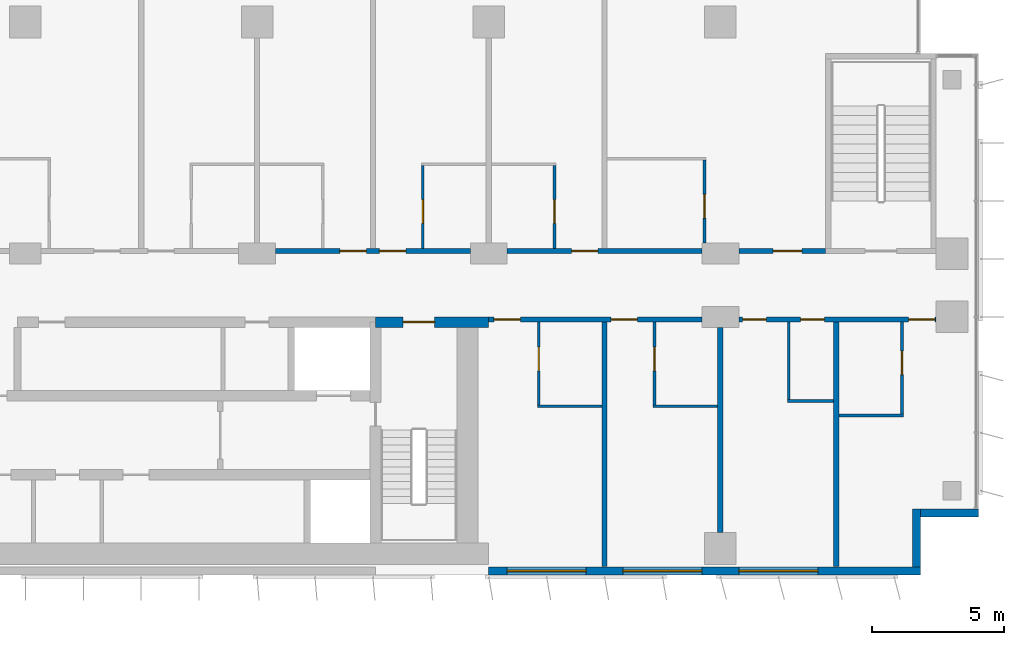
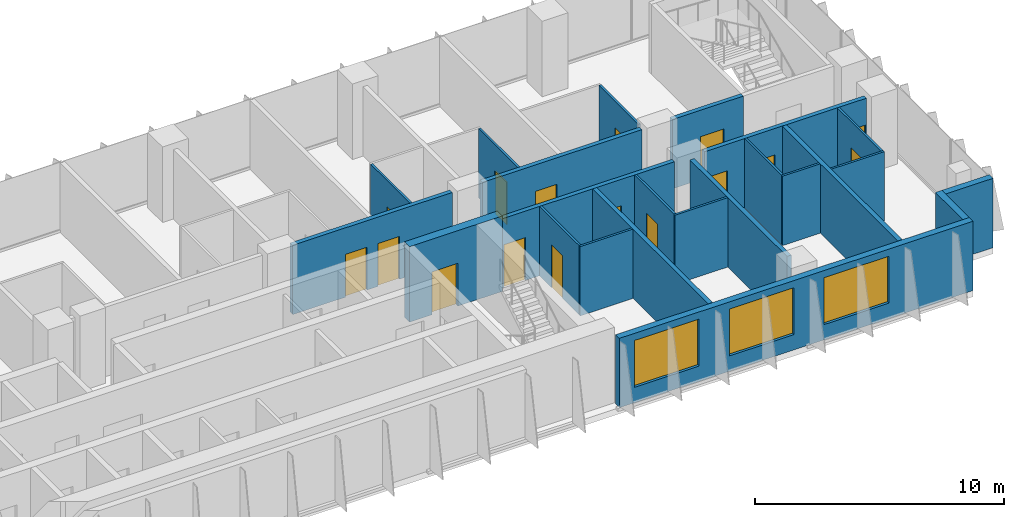
# One storey, part 14 of 23: 23 walls, 16 doors, 3 windows, 19 openings.
"""IFC4 building model written with IfcOpenShell, lengths in metres."""

from ifc_helpers import new_model, si_unit, direction, frame, frame_2d, origin, place, context, subcontext, project, spatial, rectangle, extrude, material, layer, layer_set, type_object, element, fill, save


model = new_model("IFC4")

# Units and contexts
model_context = context("Model", 3, precision=1e-05, world=origin(), true_north=direction((0.0, 1.0)))
body_context = subcontext(model_context, "Body", "Model", "MODEL_VIEW")
ifc_project = project(units=[si_unit("LENGTHUNIT", "METRE"), si_unit("AREAUNIT", "SQUARE_METRE"), si_unit("VOLUMEUNIT", "CUBIC_METRE"), si_unit("PLANEANGLEUNIT", "RADIAN"), si_unit("MASSUNIT", "GRAM", prefix="KILO")], contexts=[model_context])

# Site, building, storey
site_placement = place(None, origin())
site = spatial("IfcSite", under=ifc_project, at=site_placement, CompositionType="ELEMENT")
building_placement = place(site_placement, origin())
building = spatial("IfcBuilding", under=site, at=building_placement, Name="Kemantara Hotel Tower", CompositionType="ELEMENT")
storey_placement = place(building_placement, frame((0.0, 0.0, 118.5)))
storey = spatial("IfcBuildingStorey", under=building, at=storey_placement, Name="L28", CompositionType="ELEMENT", Elevation=118.5)

# Wall, openings, windows
ifc_material_1 = material(Name="Bronze anodised aluminium cladding on insulated steel stud wall", Category="steel")
ifc_layer_1 = layer(ifc_material_1, 0.300048828125)
ifc_layer_set_1 = layer_set([ifc_layer_1], Name="Bronze anodised aluminium cladding on insulated steel stud wall")
wall_type_1 = type_object("IfcWallType", Name="BRONZE METAL-CLAD EXTERNAL WALL 300", PredefinedType="STANDARD", material=ifc_layer_set_1)
wall_1_placement = place(storey_placement, frame((45.0, 0.14990234375, 0.0), z_axis=(0.0, 0.0, 1.0), x_axis=(1.0, 0.0, 0.0)))
wall_1 = element("IfcWall", 1, at=wall_1_placement, inside=storey, type_object=wall_type_1, Name="EXTERNAL WALL L28 T2-R07-3", PredefinedType="STANDARD", context=body_context, shape_type="SweptSolid", body=[
    extrude(rectangle(XDim=16.39990234375, YDim=0.300048828125, at=frame_2d((8.199951171875, 0.0))), origin(), (0.0, 0.0, 1.0), 3.39990234375),
])
opening_1_placement = place(wall_1_placement, frame((0.699951171875, 0.0, 0.75)))
opening_1 = element("IfcOpeningElement", 2, at=opening_1_placement, cuts=wall_1, Name="Opening W1", PredefinedType="OPENING", context=body_context, shape_type="SweptSolid", body=[
    extrude(rectangle(XDim=3.0, YDim=2.300048828125, at=frame_2d((1.5, 1.14990234375))), frame((0.0, 0.159912109375, 0.0), z_axis=(0.0, -1.0, 0.0), x_axis=(1.0, 0.0, 0.0)), (0.0, 0.0, 1.0), 0.320068359375),
])
opening_2_placement = place(wall_1_placement, frame((5.10009765625, 0.0, 0.75)))
opening_2 = element("IfcOpeningElement", 3, at=opening_2_placement, cuts=wall_1, Name="Opening W1", PredefinedType="OPENING", context=body_context, shape_type="SweptSolid", body=[
    extrude(rectangle(XDim=3.0, YDim=2.300048828125, at=frame_2d((1.5, 1.14990234375))), frame((0.0, 0.159912109375, 0.0), z_axis=(0.0, -1.0, 0.0), x_axis=(1.0, 0.0, 0.0)), (0.0, 0.0, 1.0), 0.320068359375),
])
opening_3_placement = place(wall_1_placement, frame((9.5, 0.0, 0.75)))
opening_3 = element("IfcOpeningElement", 4, at=opening_3_placement, cuts=wall_1, Name="Opening W1", PredefinedType="OPENING", context=body_context, shape_type="SweptSolid", body=[
    extrude(rectangle(XDim=3.0, YDim=2.300048828125, at=frame_2d((1.5, 1.14990234375))), frame((0.0, 0.159912109375, 0.0), z_axis=(0.0, -1.0, 0.0), x_axis=(1.0, 0.0, 0.0)), (0.0, 0.0, 1.0), 0.320068359375),
])
ifc_material_2 = material(Name="Low-E tinted double insulated glass in bronze anodised aluminium frame", Category="aluminium")
window_type = type_object("IfcWindowType", Name="CHICAGO WINDOW, TRIPLE PANEL 3000x2300", PartitioningType="TRIPLE_PANEL_VERTICAL", PredefinedType="WINDOW", material=ifc_material_2)
window_1_placement = place(opening_1_placement, origin())
window_1 = element("IfcWindow", 5, at=window_1_placement, inside=storey, type_object=window_type, Name="CHICAGO WINDOW L28 T2-R07-450", OverallHeight=2.300048828125, OverallWidth=3.0, PartitioningType="SINGLE_PANEL", PredefinedType="WINDOW", context=body_context, shape_type="SweptSolid", body=[
    extrude(rectangle(XDim=3.0, YDim=2.300048828125, at=frame_2d((1.5, 1.14990234375))), frame((0.0, 0.030029296875, 0.0), z_axis=(0.0, -1.0, 0.0), x_axis=(1.0, 0.0, 0.0)), (0.0, 0.0, 1.0), 0.06005859375),
])
fill(opening_1, window_1)
window_2_placement = place(opening_2_placement, origin())
window_2 = element("IfcWindow", 6, at=window_2_placement, inside=storey, type_object=window_type, Name="CHICAGO WINDOW L28 T2-R07-494", OverallHeight=2.300048828125, OverallWidth=3.0, PartitioningType="SINGLE_PANEL", PredefinedType="WINDOW", context=body_context, shape_type="SweptSolid", body=[
    extrude(rectangle(XDim=3.0, YDim=2.300048828125, at=frame_2d((1.5, 1.14990234375))), frame((0.0, 0.030029296875, 0.0), z_axis=(0.0, -1.0, 0.0), x_axis=(1.0, 0.0, 0.0)), (0.0, 0.0, 1.0), 0.06005859375),
])
fill(opening_2, window_2)
window_3_placement = place(opening_3_placement, origin())
window_3 = element("IfcWindow", 7, at=window_3_placement, inside=storey, type_object=window_type, Name="CHICAGO WINDOW L28 T2-R07-538", OverallHeight=2.300048828125, OverallWidth=3.0, PartitioningType="SINGLE_PANEL", PredefinedType="WINDOW", context=body_context, shape_type="SweptSolid", body=[
    extrude(rectangle(XDim=3.0, YDim=2.300048828125, at=frame_2d((1.5, 1.14990234375))), frame((0.0, 0.030029296875, 0.0), z_axis=(0.0, -1.0, 0.0), x_axis=(1.0, 0.0, 0.0)), (0.0, 0.0, 1.0), 0.06005859375),
])
fill(opening_3, window_3)

# Walls
wall_2_placement = place(storey_placement, frame((61.25, 0.300048828125, 0.0), z_axis=(0.0, 0.0, 1.0), x_axis=(0.0, 1.0, 0.0)))
element("IfcWall", 8, at=wall_2_placement, inside=storey, type_object=wall_type_1, Name="EXTERNAL WALL L28 T2-R08", PredefinedType="STANDARD", context=body_context, shape_type="SweptSolid", body=[
    extrude(rectangle(XDim=2.199951171875, YDim=0.300048828125, at=frame_2d((1.10009765625, 0.0))), origin(), (0.0, 0.0, 1.0), 3.39990234375),
])
wall_3_placement = place(storey_placement, frame((61.39990234375, 2.35009765625, 0.0), z_axis=(0.0, 0.0, 1.0), x_axis=(1.0, 0.0, 0.0)))
element("IfcWall", 9, at=wall_3_placement, inside=storey, type_object=wall_type_1, Name="EXTERNAL WALL L28 T2-R09", PredefinedType="STANDARD", context=body_context, shape_type="SweptSolid", body=[
    extrude(rectangle(XDim=2.2001953125, YDim=0.300048828125, at=frame_2d((1.10009765625, 0.0))), origin(), (0.0, 0.0, 1.0), 3.39990234375),
])

# Wall, opening, door
ifc_material_3 = material(Name="Concrete fc 70 MPa", Category="concrete")
ifc_layer_2 = layer(ifc_material_3, 0.39990234375)
ifc_layer_set_2 = layer_set([ifc_layer_2], Name="Concrete fc 70 MPa")
wall_type_2 = type_object("IfcWallType", Name="CORE WALL 400 FC70", PredefinedType="SHEAR", material=ifc_layer_set_2)
wall_4_placement = place(storey_placement, frame((40.699951171875, 9.60009765625, 0.0), z_axis=(0.0, 0.0, 1.0), x_axis=(1.0, 0.0, 0.0)))
wall_4 = element("IfcWall", 10, at=wall_4_placement, inside=storey, type_object=wall_type_2, Name="CORE WALL CW-N2", PredefinedType="SHEAR", context=body_context, shape_type="SweptSolid", body=[
    extrude(rectangle(XDim=4.300048828125, YDim=0.39990234375, at=frame_2d((2.14990234375, 0.0))), origin(), (0.0, 0.0, 1.0), 3.699951171875),
])
opening_4_placement = place(wall_4_placement, frame((1.050048828125, 0.0, 0.0)))
opening_4 = element("IfcOpeningElement", 11, at=opening_4_placement, cuts=wall_4, Name="Opening C19-ST2-C", PredefinedType="OPENING", context=body_context, shape_type="SweptSolid", body=[
    extrude(rectangle(XDim=1.199951171875, YDim=2.10009765625, at=frame_2d((0.60009765625, 1.050048828125))), frame((0.0, 0.2099609375, 0.0), z_axis=(0.0, -1.0, 0.0), x_axis=(1.0, 0.0, 0.0)), (0.0, 0.0, 1.0), 0.419921875),
])
ifc_material_4 = material(Name="Steel fire door", Category="steel")
door_type_1 = type_object("IfcDoorType", Name="Fire door FD90 1200 x 2100", OperationType="NOTDEFINED", PredefinedType="DOOR", material=ifc_material_4)
door_1_placement = place(opening_4_placement, frame((1.199951171875, 0.0, 0.0), z_axis=(0.0, 0.0, 1.0), x_axis=(-1.0, 0.0, 0.0)))
door_1 = element("IfcDoor", 12, at=door_1_placement, inside=storey, type_object=door_type_1, Name="Stair ST2 door to corridor", OperationType="SINGLE_SWING_RIGHT", OverallHeight=2.10009765625, OverallWidth=1.199951171875, PredefinedType="DOOR", context=body_context, shape_type="SweptSolid", body=[
    extrude(rectangle(XDim=1.199951171875, YDim=2.10009765625, at=frame_2d((0.60009765625, 1.050048828125))), frame((0.0, 0.02490234375, 0.0), z_axis=(0.0, -1.0, 0.0), x_axis=(1.0, 0.0, 0.0)), (0.0, 0.0, 1.0), 0.050048828125),
])
fill(opening_4, door_1)

# Wall, openings, doors
ifc_material_5 = material(Name="Gypsum board partition, steel studs and mineral wool, 200 mm", Category="steel")
ifc_layer_3 = layer(ifc_material_5, 0.199951171875)
ifc_layer_set_3 = layer_set([ifc_layer_3], Name="Gypsum board partition, steel studs and mineral wool, 200 mm")
wall_type_3 = type_object("IfcWallType", Name="CORRIDOR WALL 200", PredefinedType="PARTITIONING", material=ifc_layer_set_3)
wall_5_placement = place(storey_placement, frame((53.099853515625, 9.699951171875, 0.0), z_axis=(0.0, 0.0, 1.0), x_axis=(-1.0, 0.0, 0.0)))
wall_5 = element("IfcWall", 13, at=wall_5_placement, inside=storey, type_object=wall_type_3, Name="CORRIDOR WALL 200 001", PredefinedType="PARTITIONING", context=body_context, shape_type="SweptSolid", body=[
    extrude(rectangle(XDim=8.099853515625, YDim=0.199951171875, at=frame_2d((4.0498046875, 0.0))), origin(), (0.0, 0.0, 1.0), 3.39990234375),
])
opening_5_placement = place(wall_5_placement, frame((6.89990234375, 0.0, 0.0)))
opening_5 = element("IfcOpeningElement", 14, at=opening_5_placement, cuts=wall_5, Name="Opening F12-001", PredefinedType="OPENING", context=body_context, shape_type="SweptSolid", body=[
    extrude(rectangle(XDim=1.0, YDim=2.10009765625, at=frame_2d((0.5, 1.050048828125))), frame((0.0, 0.10986328125, 0.0), z_axis=(0.0, -1.0, 0.0), x_axis=(1.0, 0.0, 0.0)), (0.0, 0.0, 1.0), 0.219970703125),
])
opening_6_placement = place(wall_5_placement, frame((2.449951171875, 0.0, 0.0)))
opening_6 = element("IfcOpeningElement", 15, at=opening_6_placement, cuts=wall_5, Name="Opening F12-003", PredefinedType="OPENING", context=body_context, shape_type="SweptSolid", body=[
    extrude(rectangle(XDim=1.0, YDim=2.10009765625, at=frame_2d((0.5, 1.050048828125))), frame((0.0, 0.10986328125, 0.0), z_axis=(0.0, -1.0, 0.0), x_axis=(1.0, 0.0, 0.0)), (0.0, 0.0, 1.0), 0.219970703125),
])
ifc_material_6 = material(Name="Hardwood veneer door leaf with steel frame", Category="steel")
door_type_2 = type_object("IfcDoorType", Name="GUEST ROOM DOOR 1000 X 2100 FD30S", OperationType="NOTDEFINED", PredefinedType="DOOR", material=ifc_material_6)
door_2_placement = place(opening_5_placement, origin())
door_2 = element("IfcDoor", 16, at=door_2_placement, inside=storey, type_object=door_type_2, Name="GUEST ROOM DOOR F12-001", OperationType="SINGLE_SWING_RIGHT", OverallHeight=2.10009765625, OverallWidth=1.0, PredefinedType="DOOR", context=body_context, shape_type="SweptSolid", body=[
    extrude(rectangle(XDim=1.0, YDim=2.10009765625, at=frame_2d((0.5, 1.050048828125))), frame((0.0, 0.02490234375, 0.0), z_axis=(0.0, -1.0, 0.0), x_axis=(1.0, 0.0, 0.0)), (0.0, 0.0, 1.0), 0.050048828125),
])
fill(opening_5, door_2)
door_3_placement = place(opening_6_placement, origin())
door_3 = element("IfcDoor", 17, at=door_3_placement, inside=storey, type_object=door_type_2, Name="GUEST ROOM DOOR F12-003", OperationType="SINGLE_SWING_RIGHT", OverallHeight=2.10009765625, OverallWidth=1.0, PredefinedType="DOOR", context=body_context, shape_type="SweptSolid", body=[
    extrude(rectangle(XDim=1.0, YDim=2.10009765625, at=frame_2d((0.5, 1.050048828125))), frame((0.0, 0.02490234375, 0.0), z_axis=(0.0, -1.0, 0.0), x_axis=(1.0, 0.0, 0.0)), (0.0, 0.0, 1.0), 0.050048828125),
])
fill(opening_6, door_3)

wall_6_placement = place(storey_placement, frame((62.0, 9.699951171875, 0.0), z_axis=(0.0, 0.0, 1.0), x_axis=(-1.0, 0.0, 0.0)))
wall_6 = element("IfcWall", 18, at=wall_6_placement, inside=storey, type_object=wall_type_3, Name="CORRIDOR WALL 200 002", PredefinedType="PARTITIONING", context=body_context, shape_type="SweptSolid", body=[
    extrude(rectangle(XDim=7.5, YDim=0.199951171875, at=frame_2d((3.75, 0.0))), origin(), (0.0, 0.0, 1.0), 3.39990234375),
])
opening_7_placement = place(wall_6_placement, frame((6.449951171875, 0.0, 0.0)))
opening_7 = element("IfcOpeningElement", 19, at=opening_7_placement, cuts=wall_6, Name="Opening F12-005", PredefinedType="OPENING", context=body_context, shape_type="SweptSolid", body=[
    extrude(rectangle(XDim=0.89990234375, YDim=2.10009765625, at=frame_2d((0.449951171875, 1.050048828125))), frame((0.0, 0.10986328125, 0.0), z_axis=(0.0, -1.0, 0.0), x_axis=(1.0, 0.0, 0.0)), (0.0, 0.0, 1.0), 0.219970703125),
])
opening_8_placement = place(wall_6_placement, frame((4.25, 0.0, 0.0)))
opening_8 = element("IfcOpeningElement", 20, at=opening_8_placement, cuts=wall_6, Name="Opening F12-006", PredefinedType="OPENING", context=body_context, shape_type="SweptSolid", body=[
    extrude(rectangle(XDim=0.89990234375, YDim=2.10009765625, at=frame_2d((0.449951171875, 1.050048828125))), frame((0.0, 0.10986328125, 0.0), z_axis=(0.0, -1.0, 0.0), x_axis=(1.0, 0.0, 0.0)), (0.0, 0.0, 1.0), 0.219970703125),
])
opening_9_placement = place(wall_6_placement, frame((0.0498046875, 0.0, 0.0)))
opening_9 = element("IfcOpeningElement", 21, at=opening_9_placement, cuts=wall_6, Name="Opening F12-007", PredefinedType="OPENING", context=body_context, shape_type="SweptSolid", body=[
    extrude(rectangle(XDim=1.0, YDim=2.10009765625, at=frame_2d((0.5, 1.050048828125))), frame((0.0, 0.10986328125, 0.0), z_axis=(0.0, -1.0, 0.0), x_axis=(1.0, 0.0, 0.0)), (0.0, 0.0, 1.0), 0.219970703125),
])
door_4_placement = place(opening_9_placement, origin())
door_4 = element("IfcDoor", 22, at=door_4_placement, inside=storey, type_object=door_type_2, Name="GUEST ROOM DOOR F12-007", OperationType="SINGLE_SWING_LEFT", OverallHeight=2.10009765625, OverallWidth=1.0, PredefinedType="DOOR", context=body_context, shape_type="SweptSolid", body=[
    extrude(rectangle(XDim=1.0, YDim=2.10009765625, at=frame_2d((0.5, 1.050048828125))), frame((0.0, 0.02490234375, 0.0), z_axis=(0.0, -1.0, 0.0), x_axis=(1.0, 0.0, 0.0)), (0.0, 0.0, 1.0), 0.050048828125),
])
fill(opening_9, door_4)
ifc_material_7 = material(Name="Steel door leaf with steel frame", Category="steel")
door_type_3 = type_object("IfcDoorType", Name="SERVICE ROOM DOOR 900 X 2100 FD60", OperationType="NOTDEFINED", PredefinedType="DOOR", material=ifc_material_7)
door_5_placement = place(opening_7_placement, origin())
door_5 = element("IfcDoor", 23, at=door_5_placement, inside=storey, type_object=door_type_3, Name="SERVICE ROOM DOOR F12-005", OperationType="SINGLE_SWING_RIGHT", OverallHeight=2.10009765625, OverallWidth=0.89990234375, PredefinedType="DOOR", context=body_context, shape_type="SweptSolid", body=[
    extrude(rectangle(XDim=0.89990234375, YDim=2.10009765625, at=frame_2d((0.449951171875, 1.050048828125))), frame((0.0, 0.02490234375, 0.0), z_axis=(0.0, -1.0, 0.0), x_axis=(1.0, 0.0, 0.0)), (0.0, 0.0, 1.0), 0.050048828125),
])
fill(opening_7, door_5)
door_6_placement = place(opening_8_placement, origin())
door_6 = element("IfcDoor", 24, at=door_6_placement, inside=storey, type_object=door_type_3, Name="SERVICE ROOM DOOR F12-006", OperationType="SINGLE_SWING_LEFT", OverallHeight=2.10009765625, OverallWidth=0.89990234375, PredefinedType="DOOR", context=body_context, shape_type="SweptSolid", body=[
    extrude(rectangle(XDim=0.89990234375, YDim=2.10009765625, at=frame_2d((0.449951171875, 1.050048828125))), frame((0.0, 0.02490234375, 0.0), z_axis=(0.0, -1.0, 0.0), x_axis=(1.0, 0.0, 0.0)), (0.0, 0.0, 1.0), 0.050048828125),
])
fill(opening_8, door_6)

wall_7_placement = place(storey_placement, frame((36.900146484375, 12.300048828125, 0.0), z_axis=(0.0, 0.0, 1.0), x_axis=(1.0, 0.0, 0.0)))
wall_7 = element("IfcWall", 25, at=wall_7_placement, inside=storey, type_object=wall_type_3, Name="CORRIDOR WALL 200 009", PredefinedType="PARTITIONING", context=body_context, shape_type="SweptSolid", body=[
    extrude(rectangle(XDim=7.399658203125, YDim=0.199951171875, at=frame_2d((3.69970703125, 0.0))), origin(), (0.0, 0.0, 1.0), 3.39990234375),
])
opening_10_placement = place(wall_7_placement, frame((2.449951171875, 0.0, 0.0)))
opening_10 = element("IfcOpeningElement", 26, at=opening_10_placement, cuts=wall_7, Name="Opening F12-013", PredefinedType="OPENING", context=body_context, shape_type="SweptSolid", body=[
    extrude(rectangle(XDim=1.0, YDim=2.10009765625, at=frame_2d((0.5, 1.050048828125))), frame((0.0, 0.10986328125, 0.0), z_axis=(0.0, -1.0, 0.0), x_axis=(1.0, 0.0, 0.0)), (0.0, 0.0, 1.0), 0.219970703125),
])
opening_11_placement = place(wall_7_placement, frame((3.949951171875, 0.0, 0.0)))
opening_11 = element("IfcOpeningElement", 27, at=opening_11_placement, cuts=wall_7, Name="Opening F12-015", PredefinedType="OPENING", context=body_context, shape_type="SweptSolid", body=[
    extrude(rectangle(XDim=1.0, YDim=2.10009765625, at=frame_2d((0.5, 1.050048828125))), frame((0.0, 0.10986328125, 0.0), z_axis=(0.0, -1.0, 0.0), x_axis=(1.0, 0.0, 0.0)), (0.0, 0.0, 1.0), 0.219970703125),
])
door_7_placement = place(opening_10_placement, origin())
door_7 = element("IfcDoor", 28, at=door_7_placement, inside=storey, type_object=door_type_2, Name="GUEST ROOM DOOR F12-013", OperationType="SINGLE_SWING_RIGHT", OverallHeight=2.10009765625, OverallWidth=1.0, PredefinedType="DOOR", context=body_context, shape_type="SweptSolid", body=[
    extrude(rectangle(XDim=1.0, YDim=2.10009765625, at=frame_2d((0.5, 1.050048828125))), frame((0.0, 0.02490234375, 0.0), z_axis=(0.0, -1.0, 0.0), x_axis=(1.0, 0.0, 0.0)), (0.0, 0.0, 1.0), 0.050048828125),
])
fill(opening_10, door_7)
door_8_placement = place(opening_11_placement, origin())
door_8 = element("IfcDoor", 29, at=door_8_placement, inside=storey, type_object=door_type_2, Name="GUEST ROOM DOOR F12-015", OperationType="SINGLE_SWING_LEFT", OverallHeight=2.10009765625, OverallWidth=1.0, PredefinedType="DOOR", context=body_context, shape_type="SweptSolid", body=[
    extrude(rectangle(XDim=1.0, YDim=2.10009765625, at=frame_2d((0.5, 1.050048828125))), frame((0.0, 0.02490234375, 0.0), z_axis=(0.0, -1.0, 0.0), x_axis=(1.0, 0.0, 0.0)), (0.0, 0.0, 1.0), 0.050048828125),
])
fill(opening_11, door_8)

# Wall, opening, door
wall_8_placement = place(storey_placement, frame((45.7001953125, 12.300048828125, 0.0), z_axis=(0.0, 0.0, 1.0), x_axis=(1.0, 0.0, 0.0)))
wall_8 = element("IfcWall", 30, at=wall_8_placement, inside=storey, type_object=wall_type_3, Name="CORRIDOR WALL 200 010", PredefinedType="PARTITIONING", context=body_context, shape_type="SweptSolid", body=[
    extrude(rectangle(XDim=7.399658203125, YDim=0.199951171875, at=frame_2d((3.69970703125, 0.0))), origin(), (0.0, 0.0, 1.0), 3.39990234375),
])
opening_12_placement = place(wall_8_placement, frame((2.449951171875, 0.0, 0.0)))
opening_12 = element("IfcOpeningElement", 31, at=opening_12_placement, cuts=wall_8, Name="Opening F12-017", PredefinedType="OPENING", context=body_context, shape_type="SweptSolid", body=[
    extrude(rectangle(XDim=1.0, YDim=2.10009765625, at=frame_2d((0.5, 1.050048828125))), frame((0.0, 0.10986328125, 0.0), z_axis=(0.0, -1.0, 0.0), x_axis=(1.0, 0.0, 0.0)), (0.0, 0.0, 1.0), 0.219970703125),
])
door_9_placement = place(opening_12_placement, origin())
door_9 = element("IfcDoor", 32, at=door_9_placement, inside=storey, type_object=door_type_2, Name="GUEST ROOM DOOR F12-017", OperationType="SINGLE_SWING_RIGHT", OverallHeight=2.10009765625, OverallWidth=1.0, PredefinedType="DOOR", context=body_context, shape_type="SweptSolid", body=[
    extrude(rectangle(XDim=1.0, YDim=2.10009765625, at=frame_2d((0.5, 1.050048828125))), frame((0.0, 0.02490234375, 0.0), z_axis=(0.0, -1.0, 0.0), x_axis=(1.0, 0.0, 0.0)), (0.0, 0.0, 1.0), 0.050048828125),
])
fill(opening_12, door_9)

wall_9_placement = place(storey_placement, frame((54.5, 12.300048828125, 0.0), z_axis=(0.0, 0.0, 1.0), x_axis=(1.0, 0.0, 0.0)))
wall_9 = element("IfcWall", 33, at=wall_9_placement, inside=storey, type_object=wall_type_3, Name="CORRIDOR WALL 200 011", PredefinedType="PARTITIONING", context=body_context, shape_type="SweptSolid", body=[
    extrude(rectangle(XDim=3.300048828125, YDim=0.199951171875, at=frame_2d((1.64990234375, 0.0))), origin(), (0.0, 0.0, 1.0), 3.39990234375),
])
opening_13_placement = place(wall_9_placement, frame((1.2998046875, 0.0, 0.0)))
opening_13 = element("IfcOpeningElement", 34, at=opening_13_placement, cuts=wall_9, Name="Opening F12-019", PredefinedType="OPENING", context=body_context, shape_type="SweptSolid", body=[
    extrude(rectangle(XDim=1.10009765625, YDim=2.10009765625, at=frame_2d((0.550048828125, 1.050048828125))), frame((0.0, 0.10986328125, 0.0), z_axis=(0.0, -1.0, 0.0), x_axis=(1.0, 0.0, 0.0)), (0.0, 0.0, 1.0), 0.219970703125),
])
door_type_4 = type_object("IfcDoorType", Name="SUITE ENTRANCE DOOR 1100 X 2100 FD30S", OperationType="NOTDEFINED", PredefinedType="DOOR", material=ifc_material_6)
door_10_placement = place(opening_13_placement, origin())
door_10 = element("IfcDoor", 35, at=door_10_placement, inside=storey, type_object=door_type_4, Name="SUITE ENTRANCE DOOR F12-019", OperationType="SINGLE_SWING_RIGHT", OverallHeight=2.10009765625, OverallWidth=1.10009765625, PredefinedType="DOOR", context=body_context, shape_type="SweptSolid", body=[
    extrude(rectangle(XDim=1.10009765625, YDim=2.10009765625, at=frame_2d((0.550048828125, 1.050048828125))), frame((0.0, 0.02490234375, 0.0), z_axis=(0.0, -1.0, 0.0), x_axis=(1.0, 0.0, 0.0)), (0.0, 0.0, 1.0), 0.050048828125),
])
fill(opening_13, door_10)

# Walls
ifc_layer_4 = layer(ifc_material_5, 0.199951171875)
ifc_layer_set_4 = layer_set([ifc_layer_4], Name="Gypsum board partition, steel studs and mineral wool, 200 mm")
wall_type_4 = type_object("IfcWallType", Name="GUEST ROOM PARTY WALL 200", PredefinedType="PARTITIONING", material=ifc_layer_set_4)
wall_10_placement = place(storey_placement, frame((49.39990234375, 0.31005859375, 0.0), z_axis=(0.0, 0.0, 1.0), x_axis=(0.0, 1.0, 0.0)))
element("IfcWall", 36, at=wall_10_placement, inside=storey, type_object=wall_type_4, Name="GUEST ROOM PARTY WALL 200 003", PredefinedType="PARTITIONING", context=body_context, shape_type="SweptSolid", body=[
    extrude(rectangle(XDim=9.2900390625, YDim=0.199951171875, at=frame_2d((4.64501953125, 0.0))), origin(), (0.0, 0.0, 1.0), 3.39990234375),
])
wall_11_placement = place(storey_placement, frame((53.800048828125, 1.60009765625, 0.0), z_axis=(0.0, 0.0, 1.0), x_axis=(0.0, 1.0, 0.0)))
element("IfcWall", 37, at=wall_11_placement, inside=storey, type_object=wall_type_4, Name="GUEST ROOM PARTY WALL 200 005", PredefinedType="PARTITIONING", context=body_context, shape_type="SweptSolid", body=[
    extrude(rectangle(XDim=7.7998046875, YDim=0.199951171875, at=frame_2d((3.89990234375, 0.0))), origin(), (0.0, 0.0, 1.0), 3.39990234375),
])
wall_12_placement = place(storey_placement, frame((58.199951171875, 0.31005859375, 0.0), z_axis=(0.0, 0.0, 1.0), x_axis=(0.0, 1.0, 0.0)))
element("IfcWall", 38, at=wall_12_placement, inside=storey, type_object=wall_type_4, Name="GUEST ROOM PARTY WALL 200 006", PredefinedType="PARTITIONING", context=body_context, shape_type="SweptSolid", body=[
    extrude(rectangle(XDim=9.2900390625, YDim=0.199951171875, at=frame_2d((4.64501953125, 0.0))), origin(), (0.0, 0.0, 1.0), 3.39990234375),
])
ifc_material_8 = material(Name="Gypsum board partition on steel studs, 100 mm", Category="steel")
ifc_layer_5 = layer(ifc_material_8, 0.10009765625)
ifc_layer_set_5 = layer_set([ifc_layer_5], Name="Gypsum board partition on steel studs, 100 mm")
wall_type_5 = type_object("IfcWallType", Name="ROOM PARTITION 100", PredefinedType="PARTITIONING", material=ifc_layer_set_5)
for number, where, z_axis, x_axis, name in (
    (39, (46.85009765625, 6.39990234375, 0.0), (0.0, 0.0, 1.0), (1.0, 0.0, 0.0), "ROOM PARTITION 100 057"),
    (40, (51.25, 6.39990234375, 0.0), (0.0, 0.0, 1.0), (1.0, 0.0, 0.0), "ROOM PARTITION 100 058"),
):
    element("IfcWall", number, at=place(storey_placement, frame(where, z_axis=z_axis, x_axis=x_axis)), inside=storey, type_object=wall_type_5, Name=name, PredefinedType="PARTITIONING", context=body_context, shape_type="SweptSolid", body=[
        extrude(rectangle(XDim=2.449951171875, YDim=0.10009765625, at=frame_2d((1.22509765625, 0.0))), origin(), (0.0, 0.0, 1.0), 3.39990234375),
    ])

# Wall, opening, door
wall_13_placement = place(storey_placement, frame((46.89990234375, 9.60009765625, 0.0), z_axis=(0.0, 0.0, 1.0), x_axis=(0.0, -1.0, 0.0)))
wall_13 = element("IfcWall", 41, at=wall_13_placement, inside=storey, type_object=wall_type_5, Name="ROOM PARTITION 100 059", PredefinedType="PARTITIONING", context=body_context, shape_type="SweptSolid", body=[
    extrude(rectangle(XDim=3.150146484375, YDim=0.10009765625, at=frame_2d((1.5751953125, 0.0))), origin(), (0.0, 0.0, 1.0), 3.39990234375),
])
opening_14_placement = place(wall_13_placement, frame((0.949951171875, 0.0, 0.0)))
opening_14 = element("IfcOpeningElement", 42, at=opening_14_placement, cuts=wall_13, Name="Opening F12-002", PredefinedType="OPENING", context=body_context, shape_type="SweptSolid", body=[
    extrude(rectangle(XDim=0.89990234375, YDim=2.10009765625, at=frame_2d((0.449951171875, 1.050048828125))), frame((0.0, 0.06005859375, 0.0), z_axis=(0.0, -1.0, 0.0), x_axis=(1.0, 0.0, 0.0)), (0.0, 0.0, 1.0), 0.1201171875),
])
door_type_5 = type_object("IfcDoorType", Name="BATHROOM DOOR 900 X 2100", OperationType="NOTDEFINED", PredefinedType="DOOR", material=ifc_material_6)
door_11_placement = place(opening_14_placement, origin())
door_11 = element("IfcDoor", 43, at=door_11_placement, inside=storey, type_object=door_type_5, Name="BATHROOM DOOR F12-002", OperationType="SINGLE_SWING_LEFT", OverallHeight=2.10009765625, OverallWidth=0.89990234375, PredefinedType="DOOR", context=body_context, shape_type="SweptSolid", body=[
    extrude(rectangle(XDim=0.89990234375, YDim=2.10009765625, at=frame_2d((0.449951171875, 1.050048828125))), frame((0.0, 0.02490234375, 0.0), z_axis=(0.0, -1.0, 0.0), x_axis=(1.0, 0.0, 0.0)), (0.0, 0.0, 1.0), 0.050048828125),
])
fill(opening_14, door_11)

wall_14_placement = place(storey_placement, frame((51.300048828125, 9.60009765625, 0.0), z_axis=(0.0, 0.0, 1.0), x_axis=(0.0, -1.0, 0.0)))
wall_14 = element("IfcWall", 44, at=wall_14_placement, inside=storey, type_object=wall_type_5, Name="ROOM PARTITION 100 060", PredefinedType="PARTITIONING", context=body_context, shape_type="SweptSolid", body=[
    extrude(rectangle(XDim=3.150146484375, YDim=0.10009765625, at=frame_2d((1.5751953125, 0.0))), origin(), (0.0, 0.0, 1.0), 3.39990234375),
])
opening_15_placement = place(wall_14_placement, frame((0.949951171875, 0.0, 0.0)))
opening_15 = element("IfcOpeningElement", 45, at=opening_15_placement, cuts=wall_14, Name="Opening F12-004", PredefinedType="OPENING", context=body_context, shape_type="SweptSolid", body=[
    extrude(rectangle(XDim=0.89990234375, YDim=2.10009765625, at=frame_2d((0.449951171875, 1.050048828125))), frame((0.0, 0.06005859375, 0.0), z_axis=(0.0, -1.0, 0.0), x_axis=(1.0, 0.0, 0.0)), (0.0, 0.0, 1.0), 0.1201171875),
])
door_12_placement = place(opening_15_placement, origin())
door_12 = element("IfcDoor", 46, at=door_12_placement, inside=storey, type_object=door_type_5, Name="BATHROOM DOOR F12-004", OperationType="SINGLE_SWING_LEFT", OverallHeight=2.10009765625, OverallWidth=0.89990234375, PredefinedType="DOOR", context=body_context, shape_type="SweptSolid", body=[
    extrude(rectangle(XDim=0.89990234375, YDim=2.10009765625, at=frame_2d((0.449951171875, 1.050048828125))), frame((0.0, 0.02490234375, 0.0), z_axis=(0.0, -1.0, 0.0), x_axis=(1.0, 0.0, 0.0)), (0.0, 0.0, 1.0), 0.050048828125),
])
fill(opening_15, door_12)

# Walls
wall_15_placement = place(storey_placement, frame((56.35009765625, 6.60009765625, 0.0), z_axis=(0.0, 0.0, 1.0), x_axis=(1.0, 0.0, 0.0)))
element("IfcWall", 47, at=wall_15_placement, inside=storey, type_object=wall_type_5, Name="ROOM PARTITION 100 061", PredefinedType="PARTITIONING", context=body_context, shape_type="SweptSolid", body=[
    extrude(rectangle(XDim=1.75, YDim=0.10009765625, at=frame_2d((0.875, 0.0))), origin(), (0.0, 0.0, 1.0), 3.39990234375),
])
wall_16_placement = place(storey_placement, frame((56.39990234375, 6.64990234375, 0.0), z_axis=(0.0, 0.0, 1.0), x_axis=(0.0, 1.0, 0.0)))
element("IfcWall", 48, at=wall_16_placement, inside=storey, type_object=wall_type_5, Name="ROOM PARTITION 100 062", PredefinedType="PARTITIONING", context=body_context, shape_type="SweptSolid", body=[
    extrude(rectangle(XDim=2.9501953125, YDim=0.10009765625, at=frame_2d((1.47509765625, 0.0))), origin(), (0.0, 0.0, 1.0), 3.39990234375),
])
wall_17_placement = place(storey_placement, frame((58.300048828125, 6.050048828125, 0.0), z_axis=(0.0, 0.0, 1.0), x_axis=(1.0, 0.0, 0.0)))
element("IfcWall", 49, at=wall_17_placement, inside=storey, type_object=wall_type_5, Name="ROOM PARTITION 100 063", PredefinedType="PARTITIONING", context=body_context, shape_type="SweptSolid", body=[
    extrude(rectangle(XDim=2.449951171875, YDim=0.10009765625, at=frame_2d((1.22509765625, 0.0))), origin(), (0.0, 0.0, 1.0), 3.39990234375),
])

# Wall, opening, door
wall_18_placement = place(storey_placement, frame((60.699951171875, 6.10009765625, 0.0), z_axis=(0.0, 0.0, 1.0), x_axis=(0.0, 1.0, 0.0)))
wall_18 = element("IfcWall", 50, at=wall_18_placement, inside=storey, type_object=wall_type_5, Name="ROOM PARTITION 100 064", PredefinedType="PARTITIONING", context=body_context, shape_type="SweptSolid", body=[
    extrude(rectangle(XDim=3.5, YDim=0.10009765625, at=frame_2d((1.75, 0.0))), origin(), (0.0, 0.0, 1.0), 3.39990234375),
])
opening_16_placement = place(wall_18_placement, frame((1.5, 0.0, 0.0)))
opening_16 = element("IfcOpeningElement", 51, at=opening_16_placement, cuts=wall_18, Name="Opening F12-008", PredefinedType="OPENING", context=body_context, shape_type="SweptSolid", body=[
    extrude(rectangle(XDim=0.89990234375, YDim=2.10009765625, at=frame_2d((0.449951171875, 1.050048828125))), frame((0.0, 0.06005859375, 0.0), z_axis=(0.0, -1.0, 0.0), x_axis=(1.0, 0.0, 0.0)), (0.0, 0.0, 1.0), 0.1201171875),
])
door_13_placement = place(opening_16_placement, origin())
door_13 = element("IfcDoor", 52, at=door_13_placement, inside=storey, type_object=door_type_5, Name="BATHROOM DOOR F12-008", OperationType="SINGLE_SWING_RIGHT", OverallHeight=2.10009765625, OverallWidth=0.89990234375, PredefinedType="DOOR", context=body_context, shape_type="SweptSolid", body=[
    extrude(rectangle(XDim=0.89990234375, YDim=2.10009765625, at=frame_2d((0.449951171875, 1.050048828125))), frame((0.0, 0.02490234375, 0.0), z_axis=(0.0, -1.0, 0.0), x_axis=(1.0, 0.0, 0.0)), (0.0, 0.0, 1.0), 0.050048828125),
])
fill(opening_16, door_13)

wall_19_placement = place(storey_placement, frame((42.5, 15.550048828125, 0.0), z_axis=(0.0, 0.0, 1.0), x_axis=(0.0, -1.0, 0.0)))
wall_19 = element("IfcWall", 53, at=wall_19_placement, inside=storey, type_object=wall_type_5, Name="ROOM PARTITION 100 074", PredefinedType="PARTITIONING", context=body_context, shape_type="SweptSolid", body=[
    extrude(rectangle(XDim=3.150146484375, YDim=0.10009765625, at=frame_2d((1.5751953125, 0.0))), origin(), (0.0, 0.0, 1.0), 3.39990234375),
])
opening_17_placement = place(wall_19_placement, frame((1.300048828125, 0.0, 0.0)))
opening_17 = element("IfcOpeningElement", 54, at=opening_17_placement, cuts=wall_19, Name="Opening F12-016", PredefinedType="OPENING", context=body_context, shape_type="SweptSolid", body=[
    extrude(rectangle(XDim=0.89990234375, YDim=2.10009765625, at=frame_2d((0.449951171875, 1.050048828125))), frame((0.0, 0.06005859375, 0.0), z_axis=(0.0, -1.0, 0.0), x_axis=(1.0, 0.0, 0.0)), (0.0, 0.0, 1.0), 0.1201171875),
])
door_14_placement = place(opening_17_placement, origin())
door_14 = element("IfcDoor", 55, at=door_14_placement, inside=storey, type_object=door_type_5, Name="BATHROOM DOOR F12-016", OperationType="SINGLE_SWING_RIGHT", OverallHeight=2.10009765625, OverallWidth=0.89990234375, PredefinedType="DOOR", context=body_context, shape_type="SweptSolid", body=[
    extrude(rectangle(XDim=0.89990234375, YDim=2.10009765625, at=frame_2d((0.449951171875, 1.050048828125))), frame((0.0, 0.02490234375, 0.0), z_axis=(0.0, -1.0, 0.0), x_axis=(1.0, 0.0, 0.0)), (0.0, 0.0, 1.0), 0.050048828125),
])
fill(opening_17, door_14)

wall_20_placement = place(storey_placement, frame((47.5, 12.39990234375, 0.0), z_axis=(0.0, 0.0, 1.0), x_axis=(0.0, 1.0, 0.0)))
wall_20 = element("IfcWall", 56, at=wall_20_placement, inside=storey, type_object=wall_type_5, Name="ROOM PARTITION 100 075", PredefinedType="PARTITIONING", context=body_context, shape_type="SweptSolid", body=[
    extrude(rectangle(XDim=3.150146484375, YDim=0.10009765625, at=frame_2d((1.5751953125, 0.0))), origin(), (0.0, 0.0, 1.0), 3.39990234375),
])
opening_18_placement = place(wall_20_placement, frame((0.949951171875, 0.0, 0.0)))
opening_18 = element("IfcOpeningElement", 57, at=opening_18_placement, cuts=wall_20, Name="Opening F12-018", PredefinedType="OPENING", context=body_context, shape_type="SweptSolid", body=[
    extrude(rectangle(XDim=0.89990234375, YDim=2.10009765625, at=frame_2d((0.449951171875, 1.050048828125))), frame((0.0, 0.06005859375, 0.0), z_axis=(0.0, -1.0, 0.0), x_axis=(1.0, 0.0, 0.0)), (0.0, 0.0, 1.0), 0.1201171875),
])
door_15_placement = place(opening_18_placement, origin())
door_15 = element("IfcDoor", 58, at=door_15_placement, inside=storey, type_object=door_type_5, Name="BATHROOM DOOR F12-018", OperationType="SINGLE_SWING_LEFT", OverallHeight=2.10009765625, OverallWidth=0.89990234375, PredefinedType="DOOR", context=body_context, shape_type="SweptSolid", body=[
    extrude(rectangle(XDim=0.89990234375, YDim=2.10009765625, at=frame_2d((0.449951171875, 1.050048828125))), frame((0.0, 0.02490234375, 0.0), z_axis=(0.0, -1.0, 0.0), x_axis=(1.0, 0.0, 0.0)), (0.0, 0.0, 1.0), 0.050048828125),
])
fill(opening_18, door_15)

wall_21_placement = place(storey_placement, frame((53.199951171875, 12.60009765625, 0.0), z_axis=(0.0, 0.0, 1.0), x_axis=(0.0, 1.0, 0.0)))
wall_21 = element("IfcWall", 59, at=wall_21_placement, inside=storey, type_object=wall_type_5, Name="ROOM PARTITION 100 076", PredefinedType="PARTITIONING", context=body_context, shape_type="SweptSolid", body=[
    extrude(rectangle(XDim=3.14990234375, YDim=0.10009765625, at=frame_2d((1.574951171875, 0.0))), origin(), (0.0, 0.0, 1.0), 3.39990234375),
])
opening_19_placement = place(wall_21_placement, frame((0.949951171875, 0.0, 0.0)))
opening_19 = element("IfcOpeningElement", 60, at=opening_19_placement, cuts=wall_21, Name="Opening F12-020", PredefinedType="OPENING", context=body_context, shape_type="SweptSolid", body=[
    extrude(rectangle(XDim=0.89990234375, YDim=2.10009765625, at=frame_2d((0.449951171875, 1.050048828125))), frame((0.0, 0.06005859375, 0.0), z_axis=(0.0, -1.0, 0.0), x_axis=(1.0, 0.0, 0.0)), (0.0, 0.0, 1.0), 0.1201171875),
])
door_16_placement = place(opening_19_placement, origin())
door_16 = element("IfcDoor", 61, at=door_16_placement, inside=storey, type_object=door_type_5, Name="BATHROOM DOOR F12-020", OperationType="SINGLE_SWING_LEFT", OverallHeight=2.10009765625, OverallWidth=0.89990234375, PredefinedType="DOOR", context=body_context, shape_type="SweptSolid", body=[
    extrude(rectangle(XDim=0.89990234375, YDim=2.10009765625, at=frame_2d((0.449951171875, 1.050048828125))), frame((0.0, 0.02490234375, 0.0), z_axis=(0.0, -1.0, 0.0), x_axis=(1.0, 0.0, 0.0)), (0.0, 0.0, 1.0), 0.050048828125),
])
fill(opening_19, door_16)

save(model, "model.ifc")
